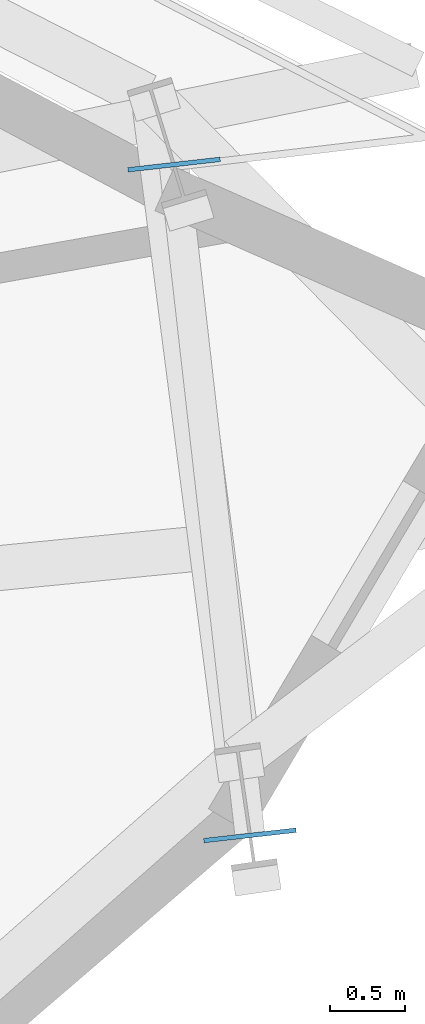
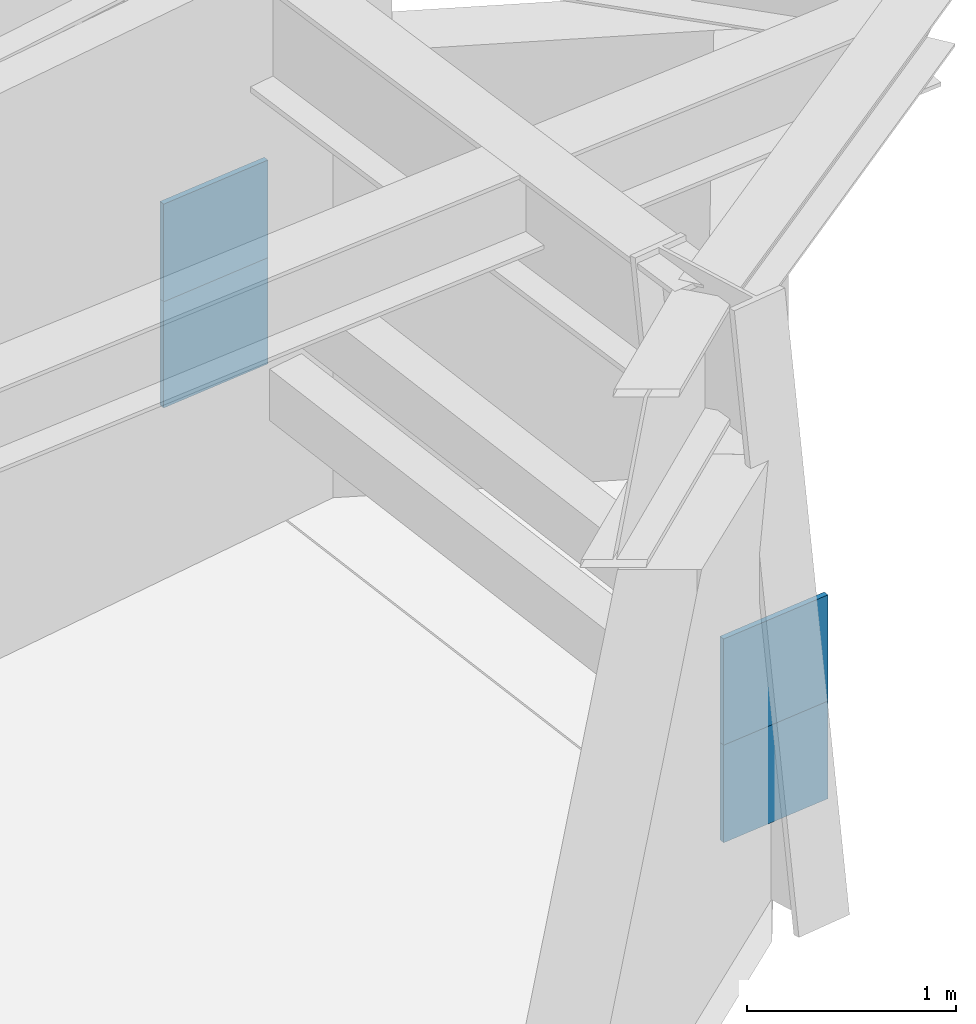
# One storey, part 13 of 22: 4 plates.
"""IFC4 building model written with IfcOpenShell, lengths in metres."""

from ifc_helpers import new_model, si_unit, direction, frame, origin, origin_2d, place, context, subcontext, project, spatial, rectangle, extrude, source, transform, mapped, material, type_object, element, save


model = new_model("IFC4")

# Units and contexts
model_context = context("Model", 3, precision=1e-05, world=origin(), true_north=direction((0.0, 1.0)))
body_context = subcontext(model_context, "Body", "Model", "MODEL_VIEW")
ifc_project = project(units=[si_unit("LENGTHUNIT", "METRE"), si_unit("AREAUNIT", "SQUARE_METRE"), si_unit("VOLUMEUNIT", "CUBIC_METRE"), si_unit("PLANEANGLEUNIT", "RADIAN"), si_unit("MASSUNIT", "GRAM", prefix="KILO")], contexts=[model_context])

# Site, building, storey
site_placement = place(None, origin())
site = spatial("IfcSite", under=ifc_project, at=site_placement, CompositionType="ELEMENT")
building_placement = place(site_placement, origin())
building = spatial("IfcBuilding", under=site, at=building_placement, Name="Olszyna Solenne Hotel", CompositionType="ELEMENT")
storey_placement = place(building_placement, frame((0.0, 0.0, 61.25)))
storey = spatial("IfcBuildingStorey", under=building, at=storey_placement, Name="L15", CompositionType="ELEMENT", Elevation=61.25)

# Plates
ifc_material = material(Name="Steel S460M", Category="steel")
plate_type = type_object("IfcPlateType", Name="GP-CAP2", PredefinedType="USERDEFINED", material=ifc_material)
shared_shape = source(origin(), body_context, "Body", "SweptSolid", [
    extrude(rectangle(XDim=0.030029296875, YDim=0.6201171875, at=origin_2d()), origin(), (0.0, 0.0, 1.0), 0.6201171875),
])
for number, where, z_axis, x_axis, name in (
    (1, (68.63134765625, 27.96435546875, 1.0400390625), (0.0, 0.0, 1.0), (-0.112336115762, 0.99367026578, 0.0), "Hollow section end-cap plate GP-CAP2 CP-PR-M-L15-PR1-1"),
    (2, (68.124755859375, 32.444091796875, 1.0400390625), (0.0, 0.0, 1.0), (-0.112336115762, 0.99367026578, 0.0), "Hollow section end-cap plate GP-CAP2 CP-PR-M-L15-PR1-2"),
    (3, (68.63134765625, 27.96435546875, 0.469970703125), (0.0, 0.0, 1.0), (-0.112336115762, 0.99367026578, 0.0), "Hollow section end-cap plate GP-CAP2 CP-PR-M-L15-PR2-1"),
    (4, (68.124755859375, 32.444091796875, 0.469970703125), (0.0, 0.0, 1.0), (-0.112336115762, 0.99367026578, 0.0), "Hollow section end-cap plate GP-CAP2 CP-PR-M-L15-PR2-2"),
):
    element("IfcPlate", number, at=place(storey_placement, frame(where, z_axis=z_axis, x_axis=x_axis)), inside=storey, type_object=plate_type, Name=name, ObjectType="GUSSET_PLATE", PredefinedType="USERDEFINED", context=body_context, shape_type="MappedRepresentation", body=[
        mapped(shared_shape, transform((0.0, 0.0, 0.0), x_axis=(1.0, 0.0, 0.0), y_axis=(0.0, 1.0, 0.0), z_axis=(0.0, 0.0, 1.0), scale=1.0)),
    ])

save(model, "model.ifc")
